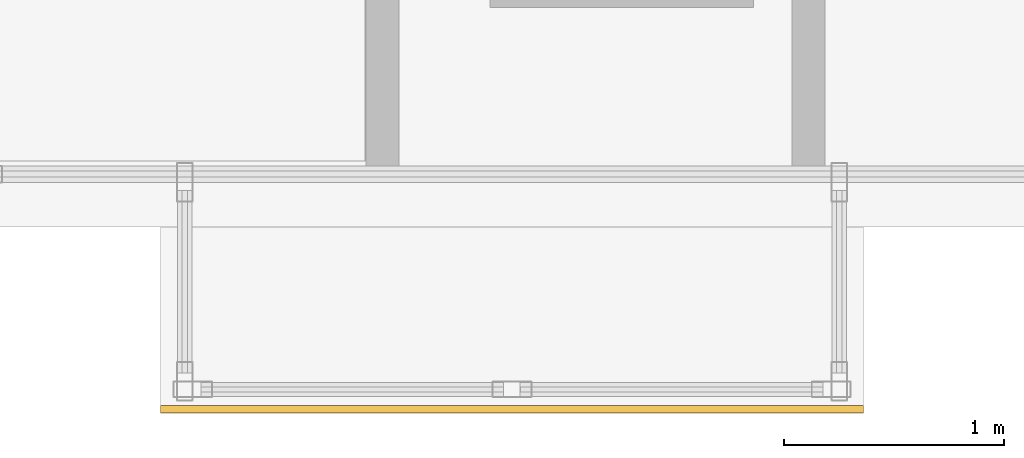
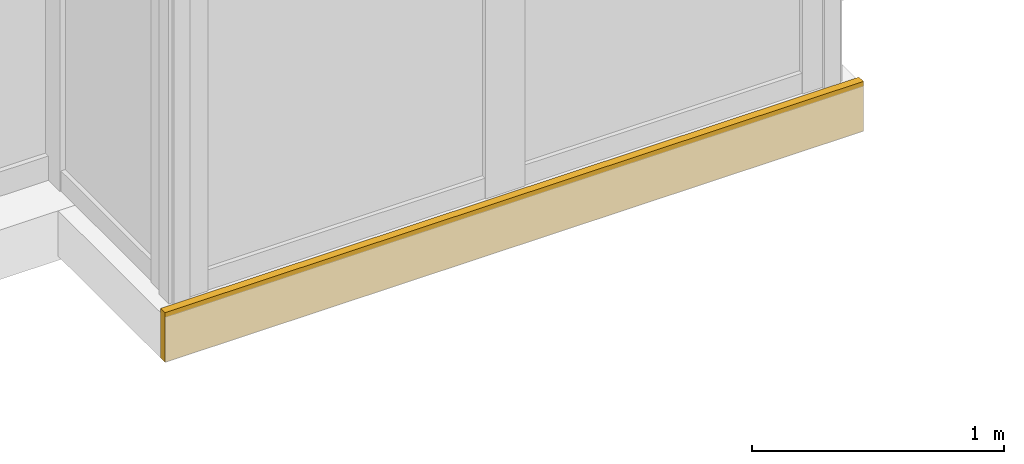
# One storey, part 26 of 27: 1 covering.
"""IFC4 building model written with IfcOpenShell, lengths in metres."""

from ifc_helpers import new_model, si_unit, direction, frame, origin, origin_2d, place, context, subcontext, project, spatial, rectangle, extrude, material, layer, layer_set, type_object, element, save


model = new_model("IFC4")

# Units and contexts
model_context = context("Model", 3, precision=1e-05, world=origin(), true_north=direction((0.0, 1.0)))
body_context = subcontext(model_context, "Body", "Model", "MODEL_VIEW")
ifc_project = project(units=[si_unit("LENGTHUNIT", "METRE"), si_unit("AREAUNIT", "SQUARE_METRE"), si_unit("VOLUMEUNIT", "CUBIC_METRE"), si_unit("PLANEANGLEUNIT", "RADIAN"), si_unit("MASSUNIT", "GRAM", prefix="KILO")], contexts=[model_context])

# Site, building, storey
site_placement = place(None, origin())
site = spatial("IfcSite", under=ifc_project, at=site_placement, CompositionType="ELEMENT")
building_placement = place(site_placement, origin())
building = spatial("IfcBuilding", under=site, at=building_placement, Name="Kolvaren Waterfront Exchange", CompositionType="ELEMENT")
storey_placement = place(building_placement, frame((0.0, 0.0, 161.39990234375)))
storey = spatial("IfcBuildingStorey", under=building, at=storey_placement, Name="L41", CompositionType="ELEMENT", Elevation=161.39990234375)

# Covering
ifc_material = material(Name="Anodised bronze fascia aluminium", Category="aluminium")
ifc_layer = layer(ifc_material, 0.034912109375, Name="Anodised bronze fascia aluminium")
ifc_layer_set = layer_set([ifc_layer], Name="Anodised bronze fascia aluminium")
covering_type = type_object("IfcCoveringType", Name="ARC-CLAD-BRONZE-35", PredefinedType="CLADDING", material=ifc_layer_set)
covering_placement = place(storey_placement, frame((36.300048828125, 2.77001953125, -0.2197265625), z_axis=(0.0, 0.0, 1.0), x_axis=(1.0, 0.0, 0.0)))
element("IfcCovering", 1, at=covering_placement, inside=storey, type_object=covering_type, Name="L41 ribbed anodised bronze bay-box fascia", PredefinedType="CLADDING", context=body_context, shape_type="SweptSolid", body=[
    extrude(rectangle(XDim=3.199951171875, YDim=0.034912109375, at=origin_2d()), origin(), (0.0, 0.0, 1.0), 0.239990234375),
])

save(model, "model.ifc")
